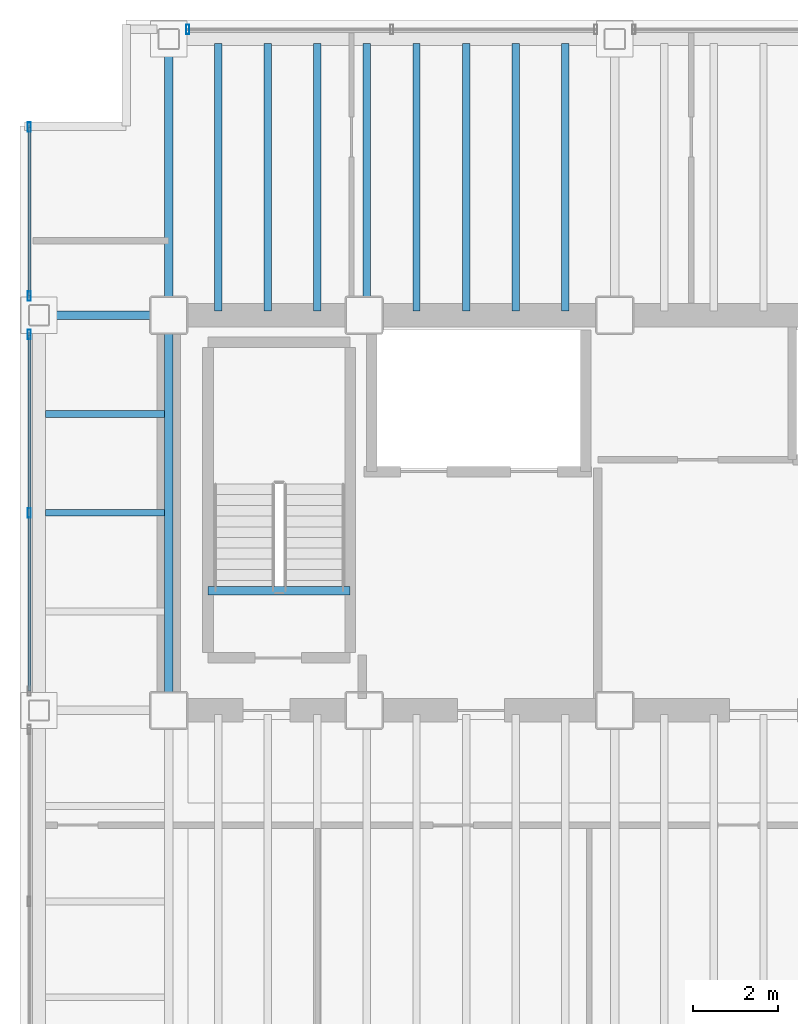
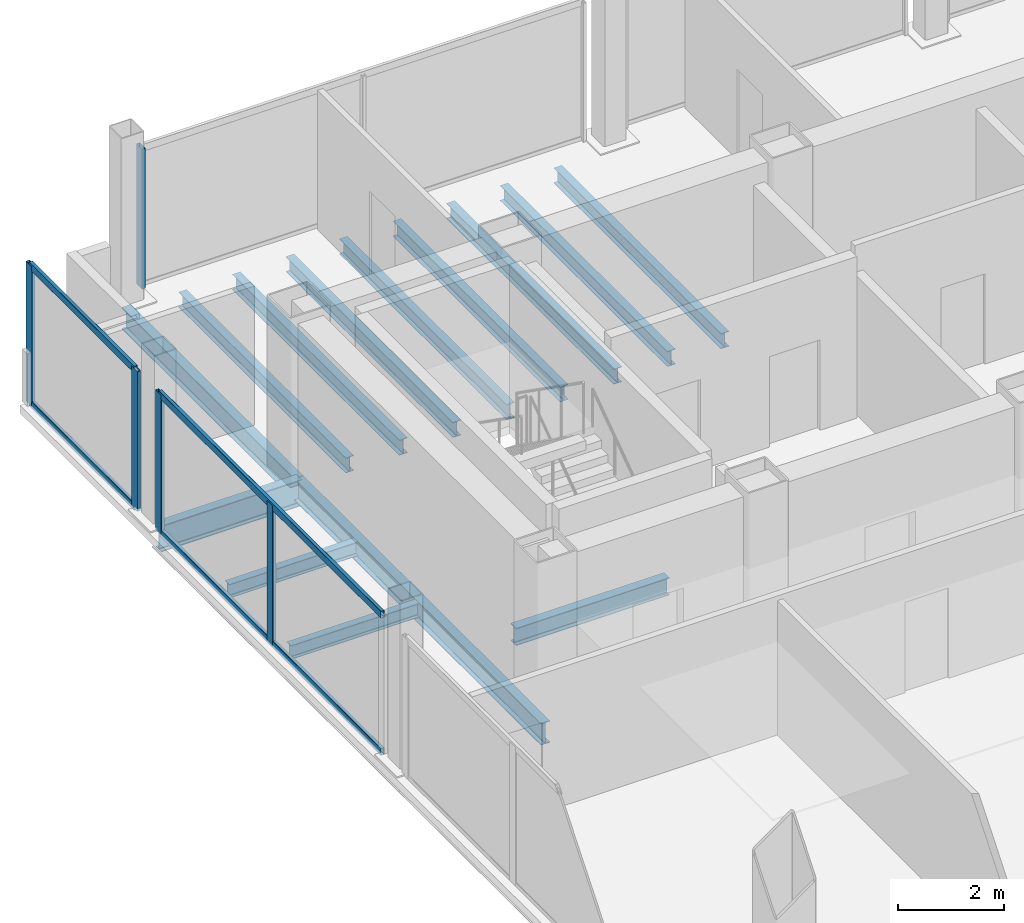
# One storey, part 6 of 16: 14 beams, 9 members, 3 elements without a shape of their own.
"""IFC4 building model written with IfcOpenShell, lengths in metres."""

from ifc_helpers import new_model, si_unit, direction, frame, origin, origin_2d, place, context, subcontext, project, spatial, hollow_rectangle, i_section, extrude, material, material_profile, profile_set, type_object, element, aggregate, save


model = new_model("IFC4")

# Units and contexts
model_context = context("Model", 3, precision=1e-05, world=origin(), true_north=direction((0.0, 1.0)))
body_context = subcontext(model_context, "Body", "Model", "MODEL_VIEW")
ifc_project = project(units=[si_unit("LENGTHUNIT", "METRE"), si_unit("AREAUNIT", "SQUARE_METRE"), si_unit("VOLUMEUNIT", "CUBIC_METRE"), si_unit("PLANEANGLEUNIT", "RADIAN"), si_unit("MASSUNIT", "GRAM", prefix="KILO")], contexts=[model_context])

# Site, building, storey
site_placement = place(None, origin())
site = spatial("IfcSite", under=ifc_project, at=site_placement, CompositionType="ELEMENT")
building_placement = place(site_placement, origin())
building = spatial("IfcBuilding", under=site, at=building_placement, Name="Noeulbin Bourse Tower", CompositionType="ELEMENT")
storey_placement = place(building_placement, frame((0.0, 0.0, 177.300048828125)))
storey = spatial("IfcBuildingStorey", under=building, at=storey_placement, Name="L44", CompositionType="ELEMENT", Elevation=177.300048828125)

# Beams
ifc_material_1 = material(Name="Steel S355", Category="steel")
ifc_material_profile_1 = material_profile(ifc_material_1, i_section(OverallWidth=0.199951171875, OverallDepth=0.5, WebThickness=0.010009765625, FlangeThickness=0.01611328125, FilletRadius=0.02001953125, at=origin_2d()), Name="H-500x200x10x16", Category="LoadBearing")
ifc_profile_set_1 = profile_set([ifc_material_profile_1], Name="Steel S355")
beam_type_1 = type_object("IfcBeamType", Name="BM-GRD-500", PredefinedType="USERDEFINED", material=ifc_profile_set_1)
beam_1_placement = place(storey_placement, frame((13.5, 29.0, -0.429931640625), z_axis=(0.0, 1.0, 0.0), x_axis=(-1.0, 0.0, 0.0)))
element("IfcBeam", 1, at=beam_1_placement, inside=storey, type_object=beam_type_1, Name="Tower Primary Girder NS L44-1.3", ObjectType="GIRDER", PredefinedType="USERDEFINED", context=body_context, shape_type="SweptSolid", body=[
    extrude(i_section(OverallWidth=0.199951171875, OverallDepth=0.5, WebThickness=0.010009765625, FlangeThickness=0.01611328125, FilletRadius=0.02001953125, at=origin_2d()), origin(), (0.0, 0.0, 1.0), 9.300048828125),
])
beam_2_placement = place(storey_placement, frame((13.5, 38.300048828125, -0.429931640625), z_axis=(0.0, 1.0, 0.0), x_axis=(-1.0, 0.0, 0.0)))
element("IfcBeam", 2, at=beam_2_placement, inside=storey, type_object=beam_type_1, Name="Tower Primary Girder NS L44-1.4", ObjectType="GIRDER", PredefinedType="USERDEFINED", context=body_context, shape_type="SweptSolid", body=[
    extrude(i_section(OverallWidth=0.199951171875, OverallDepth=0.5, WebThickness=0.010009765625, FlangeThickness=0.01611328125, FilletRadius=0.02001953125, at=origin_2d()), origin(), (0.0, 0.0, 1.0), 6.5),
])
ifc_material_profile_2 = material_profile(ifc_material_1, i_section(OverallWidth=0.199951171875, OverallDepth=0.60009765625, WebThickness=0.010986328125, FlangeThickness=0.01708984375, FilletRadius=0.02197265625, at=origin_2d()), Name="H-600x200x11x17", Category="LoadBearing")
ifc_profile_set_2 = profile_set([ifc_material_profile_2], Name="Steel S355")
beam_type_2 = type_object("IfcBeamType", Name="BM-GRD-600", PredefinedType="USERDEFINED", material=ifc_profile_set_2)
beam_3_placement = place(storey_placement, frame((10.449951171875, 38.300048828125, -0.47998046875), z_axis=(1.0, 0.0, 0.0), x_axis=(0.0, 1.0, 0.0)))
element("IfcBeam", 3, at=beam_3_placement, inside=storey, type_object=beam_type_2, Name="Tower Primary Girder EW L44-3.1", ObjectType="GIRDER", PredefinedType="USERDEFINED", context=body_context, shape_type="SweptSolid", body=[
    extrude(i_section(OverallWidth=0.199951171875, OverallDepth=0.60009765625, WebThickness=0.010986328125, FlangeThickness=0.01708984375, FilletRadius=0.02197265625, at=origin_2d()), origin(), (0.0, 0.0, 1.0), 3.050048828125),
])
ifc_material_profile_3 = material_profile(ifc_material_1, i_section(OverallWidth=0.159912109375, OverallDepth=0.320068359375, WebThickness=0.006591796875, FlangeThickness=0.010009765625, FilletRadius=0.012939453125, at=origin_2d()), Name="H-320x160x6.5x10", Category="LoadBearing")
ifc_profile_set_3 = profile_set([ifc_material_profile_3], Name="Steel S355")
beam_type_3 = type_object("IfcBeamType", Name="BM-JST-320", PredefinedType="JOIST", material=ifc_profile_set_3)
for number, where, z_axis, x_axis, name in (
    (4, (10.60009765625, 33.64990234375, -0.340087890625), (1.0, 0.0, 0.0), (0.0, 1.0, 0.0), "Wing Composite Joist L44-W71"),
    (5, (10.60009765625, 35.97509765625, -0.340087890625), (1.0, 0.0, 0.0), (0.0, 1.0, 0.0), "Wing Composite Joist L44-W72"),
):
    element("IfcBeam", number, at=place(storey_placement, frame(where, z_axis=z_axis, x_axis=x_axis)), inside=storey, type_object=beam_type_3, Name=name, PredefinedType="JOIST", context=body_context, shape_type="SweptSolid", body=[
        extrude(i_section(OverallWidth=0.159912109375, OverallDepth=0.320068359375, WebThickness=0.006591796875, FlangeThickness=0.010009765625, FilletRadius=0.012939453125, at=origin_2d()), origin(), (0.0, 0.0, 1.0), 2.7998046875),
    ])
ifc_material_profile_4 = material_profile(ifc_material_1, i_section(OverallWidth=0.175048828125, OverallDepth=0.35009765625, WebThickness=0.007080078125, FlangeThickness=0.010986328125, FilletRadius=0.013916015625, at=origin_2d()), Name="H-350x175x7x11", Category="LoadBearing")
ifc_profile_set_4 = profile_set([ifc_material_profile_4], Name="Steel S355")
beam_type_4 = type_object("IfcBeamType", Name="BM-JST-350", PredefinedType="JOIST", material=ifc_profile_set_4)
for number, where, z_axis, x_axis, name in (
    (6, (14.666748046875, 38.39990234375, -0.35498046875), (0.0, 1.0, 0.0), (-1.0, 0.0, 0.0), "Tower Composite Joist L44-03"),
    (7, (15.833251953125, 38.39990234375, -0.35498046875), (0.0, 1.0, 0.0), (-1.0, 0.0, 0.0), "Tower Composite Joist L44-06"),
    (8, (17.0, 38.39990234375, -0.35498046875), (0.0, 1.0, 0.0), (-1.0, 0.0, 0.0), "Tower Composite Joist L44-09"),
    (9, (18.166748046875, 38.39990234375, -0.35498046875), (0.0, 1.0, 0.0), (-1.0, 0.0, 0.0), "Tower Composite Joist L44-12"),
    (10, (19.333251953125, 38.39990234375, -0.35498046875), (0.0, 1.0, 0.0), (-1.0, 0.0, 0.0), "Tower Composite Joist L44-15"),
    (11, (20.5, 38.39990234375, -0.35498046875), (0.0, 1.0, 0.0), (-1.0, 0.0, 0.0), "Tower Composite Joist L44-18"),
    (12, (21.666748046875, 38.39990234375, -0.35498046875), (0.0, 1.0, 0.0), (-1.0, 0.0, 0.0), "Tower Composite Joist L44-21"),
    (13, (22.833251953125, 38.39990234375, -0.35498046875), (0.0, 1.0, 0.0), (-1.0, 0.0, 0.0), "Tower Composite Joist L44-24"),
):
    element("IfcBeam", number, at=place(storey_placement, frame(where, z_axis=z_axis, x_axis=x_axis)), inside=storey, type_object=beam_type_4, Name=name, PredefinedType="JOIST", context=body_context, shape_type="SweptSolid", body=[
        extrude(i_section(OverallWidth=0.175048828125, OverallDepth=0.35009765625, WebThickness=0.007080078125, FlangeThickness=0.010986328125, FilletRadius=0.013916015625, at=origin_2d()), origin(), (0.0, 0.0, 1.0), 6.300048828125),
    ])
ifc_material_profile_5 = material_profile(ifc_material_1, i_section(OverallWidth=0.199951171875, OverallDepth=0.39990234375, WebThickness=0.008056640625, FlangeThickness=0.012939453125, FilletRadius=0.01611328125, at=origin_2d()), Name="H-400x200x8x13", Category="LoadBearing")
ifc_profile_set_5 = profile_set([ifc_material_profile_5], Name="Steel S355")
beam_type_5 = type_object("IfcBeamType", Name="BM-SEC-400", PredefinedType="BEAM", material=ifc_profile_set_5)
beam_4_placement = place(storey_placement, frame((14.429931640625, 31.820068359375, -0.199951171875), z_axis=(1.0, 0.0, 0.0), x_axis=(0.0, 1.0, 0.0)))
element("IfcBeam", 14, at=beam_4_placement, inside=storey, type_object=beam_type_5, Name="Stair Threshold Trimmer Beam ST1-L44", PredefinedType="BEAM", context=body_context, shape_type="SweptSolid", body=[
    extrude(i_section(OverallWidth=0.199951171875, OverallDepth=0.39990234375, WebThickness=0.008056640625, FlangeThickness=0.012939453125, FilletRadius=0.01611328125, at=origin_2d()), origin(), (0.0, 0.0, 1.0), 3.340087890625),
])

# Curtain wall, member
ifc_material_2 = material(Name="Dark Tinted Triple Glazing", Category="glass")
curtain_wall_type = type_object("IfcCurtainWallType", Name="CW-SYS-3", PredefinedType="NOTDEFINED", material=ifc_material_2)
curtain_wall_1_placement = place(storey_placement, origin())
curtain_wall_1 = element("IfcCurtainWall", 15, at=curtain_wall_1_placement, inside=storey, type_object=curtain_wall_type, Name="Unitised Curtain Wall CW-L44-N-S1", PredefinedType="NOTDEFINED")
ifc_material_3 = material(Name="Anodised Aluminium 6063-T6", Category="aluminium")
ifc_material_profile_6 = material_profile(ifc_material_3, hollow_rectangle(XDim=0.074951171875, YDim=0.219970703125, WallThickness=0.0048828125, InnerFilletRadius=0.00244140625, OuterFilletRadius=0.0048828125, at=origin_2d()), Name="ALU-MULL-75x220x5", Category="LoadBearing")
ifc_profile_set_6 = profile_set([ifc_material_profile_6], Name="Anodised Aluminium 6063-T6")
member_type_1 = type_object("IfcMemberType", Name="CW-SYS-3-MUL", PredefinedType="MULLION", material=ifc_profile_set_6)
member_1_placement = place(storey_placement, frame((13.949951171875, 45.030029296875, -0.02001953125), z_axis=(0.0, 0.0, 1.0), x_axis=(1.0, 0.0, 0.0)))
member_1 = element("IfcMember", 16, at=member_1_placement, type_object=member_type_1, Name="Curtain Wall Mullion CW-L44-N-S1-M00", PredefinedType="MULLION", context=body_context, shape_type="SweptSolid", body=[
    extrude(hollow_rectangle(XDim=0.074951171875, YDim=0.219970703125, WallThickness=0.0048828125, InnerFilletRadius=0.00244140625, OuterFilletRadius=0.0048828125, at=origin_2d()), origin(), (0.0, 0.0, 1.0), 3.219970703125),
])
aggregate(curtain_wall_1, [member_1])

# Curtain wall, members
curtain_wall_2_placement = place(storey_placement, origin())
curtain_wall_2 = element("IfcCurtainWall", 17, at=curtain_wall_2_placement, inside=storey, type_object=curtain_wall_type, Name="Unitised Curtain Wall CW-L44-W-S2", PredefinedType="NOTDEFINED")
member_2_placement = place(storey_placement, frame((10.219970703125, 33.64990234375, -0.02001953125), z_axis=(0.0, 0.0, 1.0), x_axis=(1.0, 0.0, 0.0)))
member_2 = element("IfcMember", 18, at=member_2_placement, type_object=member_type_1, Name="Curtain Wall Mullion CW-L44-W-S2-M01", PredefinedType="MULLION", context=body_context, shape_type="SweptSolid", body=[
    extrude(hollow_rectangle(XDim=0.074951171875, YDim=0.219970703125, WallThickness=0.0048828125, InnerFilletRadius=0.00244140625, OuterFilletRadius=0.0048828125, at=origin_2d()), origin(), (0.0, 0.0, 1.0), 3.219970703125),
])
member_3_placement = place(storey_placement, frame((10.219970703125, 37.85009765625, -0.02001953125), z_axis=(0.0, 0.0, 1.0), x_axis=(1.0, 0.0, 0.0)))
member_3 = element("IfcMember", 19, at=member_3_placement, type_object=member_type_1, Name="Curtain Wall Mullion CW-L44-W-S2-M02", PredefinedType="MULLION", context=body_context, shape_type="SweptSolid", body=[
    extrude(hollow_rectangle(XDim=0.074951171875, YDim=0.219970703125, WallThickness=0.0048828125, InnerFilletRadius=0.00244140625, OuterFilletRadius=0.0048828125, at=origin_2d()), origin(), (0.0, 0.0, 1.0), 3.219970703125),
])

curtain_wall_3_placement = place(storey_placement, origin())
curtain_wall_3 = element("IfcCurtainWall", 20, at=curtain_wall_3_placement, inside=storey, type_object=curtain_wall_type, Name="Unitised Curtain Wall CW-L44-W-S3", PredefinedType="NOTDEFINED")
member_4_placement = place(storey_placement, frame((10.219970703125, 38.75, -0.02001953125), z_axis=(0.0, 0.0, 1.0), x_axis=(1.0, 0.0, 0.0)))
member_4 = element("IfcMember", 21, at=member_4_placement, type_object=member_type_1, Name="Curtain Wall Mullion CW-L44-W-S3-M00", PredefinedType="MULLION", context=body_context, shape_type="SweptSolid", body=[
    extrude(hollow_rectangle(XDim=0.074951171875, YDim=0.219970703125, WallThickness=0.0048828125, InnerFilletRadius=0.00244140625, OuterFilletRadius=0.0048828125, at=origin_2d()), origin(), (0.0, 0.0, 1.0), 3.219970703125),
])
member_5_placement = place(storey_placement, frame((10.219970703125, 42.72998046875, -0.02001953125), z_axis=(0.0, 0.0, 1.0), x_axis=(1.0, 0.0, 0.0)))
member_5 = element("IfcMember", 22, at=member_5_placement, type_object=member_type_1, Name="Curtain Wall Mullion CW-L44-W-S3-M01", PredefinedType="MULLION", context=body_context, shape_type="SweptSolid", body=[
    extrude(hollow_rectangle(XDim=0.074951171875, YDim=0.219970703125, WallThickness=0.0048828125, InnerFilletRadius=0.00244140625, OuterFilletRadius=0.0048828125, at=origin_2d()), origin(), (0.0, 0.0, 1.0), 3.219970703125),
])

# Member
ifc_material_profile_7 = material_profile(ifc_material_3, hollow_rectangle(XDim=0.074951171875, YDim=0.159912109375, WallThickness=0.0048828125, InnerFilletRadius=0.00244140625, OuterFilletRadius=0.0048828125, at=origin_2d()), Name="ALU-TRAN-75x160x5", Category="LoadBearing")
ifc_profile_set_7 = profile_set([ifc_material_profile_7], Name="Anodised Aluminium 6063-T6")
member_type_2 = type_object("IfcMemberType", Name="CW-SYS-3-TRN", PredefinedType="USERDEFINED", material=ifc_profile_set_7)
member_6_placement = place(storey_placement, frame((10.219970703125, 29.4599609375, 0.010009765625), z_axis=(0.0, 1.0, 0.0), x_axis=(-1.0, 0.0, 0.0)))
member_6 = element("IfcMember", 23, at=member_6_placement, type_object=member_type_2, Name="Curtain Wall Transom CW-L44-W-S2-T00", ObjectType="TRANSOM", PredefinedType="USERDEFINED", context=body_context, shape_type="SweptSolid", body=[
    extrude(hollow_rectangle(XDim=0.074951171875, YDim=0.159912109375, WallThickness=0.0048828125, InnerFilletRadius=0.00244140625, OuterFilletRadius=0.0048828125, at=origin_2d()), origin(), (0.0, 0.0, 1.0), 8.380126953125),
])

member_7_placement = place(storey_placement, frame((10.219970703125, 29.4599609375, 3.169921875), z_axis=(0.0, 1.0, 0.0), x_axis=(-1.0, 0.0, 0.0)))
member_7 = element("IfcMember", 24, at=member_7_placement, type_object=member_type_2, Name="Curtain Wall Transom CW-L44-W-S2-T01", ObjectType="TRANSOM", PredefinedType="USERDEFINED", context=body_context, shape_type="SweptSolid", body=[
    extrude(hollow_rectangle(XDim=0.074951171875, YDim=0.159912109375, WallThickness=0.0048828125, InnerFilletRadius=0.00244140625, OuterFilletRadius=0.0048828125, at=origin_2d()), origin(), (0.0, 0.0, 1.0), 8.380126953125),
])

aggregate(curtain_wall_2, [member_2, member_3, member_6, member_7])

member_8_placement = place(storey_placement, frame((10.219970703125, 38.760009765625, 0.010009765625), z_axis=(0.0, 1.0, 0.0), x_axis=(-1.0, 0.0, 0.0)))
member_8 = element("IfcMember", 25, at=member_8_placement, type_object=member_type_2, Name="Curtain Wall Transom CW-L44-W-S3-T00", ObjectType="TRANSOM", PredefinedType="USERDEFINED", context=body_context, shape_type="SweptSolid", body=[
    extrude(hollow_rectangle(XDim=0.074951171875, YDim=0.159912109375, WallThickness=0.0048828125, InnerFilletRadius=0.00244140625, OuterFilletRadius=0.0048828125, at=origin_2d()), origin(), (0.0, 0.0, 1.0), 3.9599609375),
])

member_9_placement = place(storey_placement, frame((10.219970703125, 38.760009765625, 3.169921875), z_axis=(0.0, 1.0, 0.0), x_axis=(-1.0, 0.0, 0.0)))
member_9 = element("IfcMember", 26, at=member_9_placement, type_object=member_type_2, Name="Curtain Wall Transom CW-L44-W-S3-T01", ObjectType="TRANSOM", PredefinedType="USERDEFINED", context=body_context, shape_type="SweptSolid", body=[
    extrude(hollow_rectangle(XDim=0.074951171875, YDim=0.159912109375, WallThickness=0.0048828125, InnerFilletRadius=0.00244140625, OuterFilletRadius=0.0048828125, at=origin_2d()), origin(), (0.0, 0.0, 1.0), 3.9599609375),
])

aggregate(curtain_wall_3, [member_4, member_5, member_8, member_9])

save(model, "model.ifc")
